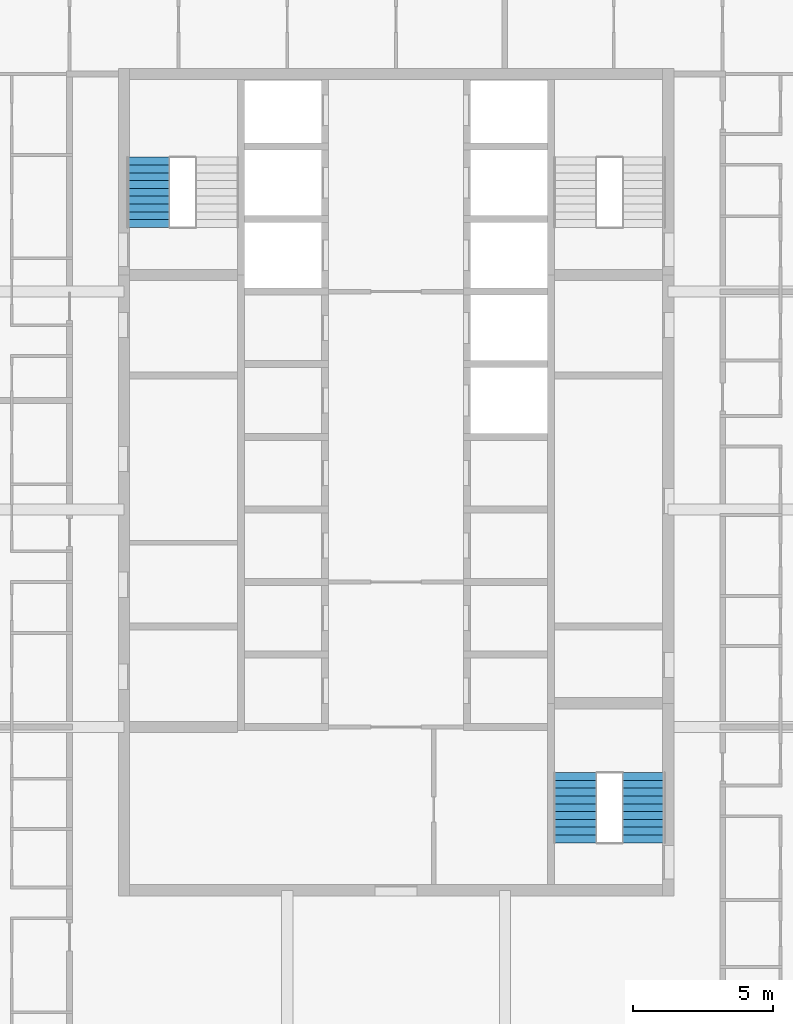
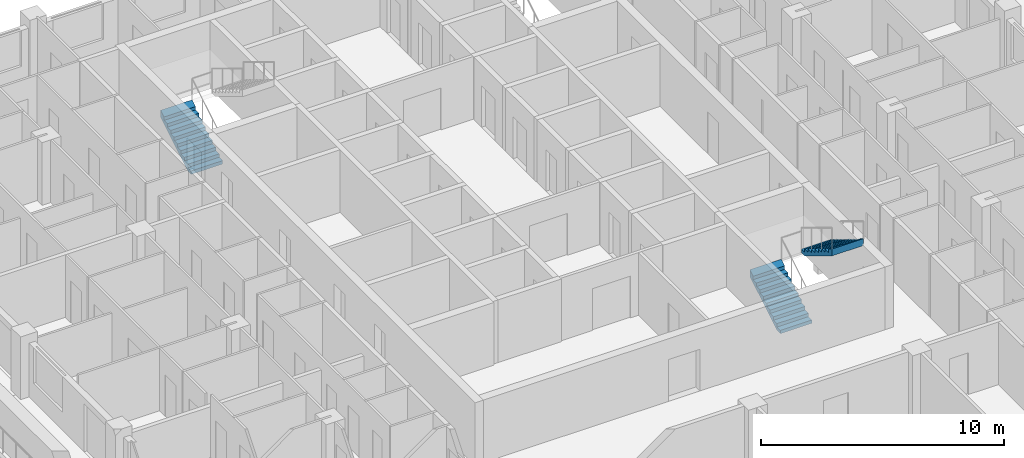
# One storey, part 13 of 17: 3 stair flights, 2 elements without a shape of their own.
"""IFC4 building model written with IfcOpenShell, lengths in metres."""

from ifc_helpers import new_model, si_unit, direction, frame, origin, place, context, subcontext, project, spatial, triangles, material, type_object, element, aggregate, save


model = new_model("IFC4")

# Units and contexts
model_context = context("Model", 3, precision=1e-05, world=origin(), true_north=direction((0.0, 1.0)))
body_context = subcontext(model_context, "Body", "Model", "MODEL_VIEW")
ifc_project = project(units=[si_unit("LENGTHUNIT", "METRE"), si_unit("AREAUNIT", "SQUARE_METRE"), si_unit("VOLUMEUNIT", "CUBIC_METRE"), si_unit("PLANEANGLEUNIT", "RADIAN"), si_unit("MASSUNIT", "GRAM", prefix="KILO")], contexts=[model_context])

# Site, building, storey
site_placement = place(None, origin())
site = spatial("IfcSite", under=ifc_project, at=site_placement, CompositionType="ELEMENT")
building_placement = place(site_placement, origin())
building = spatial("IfcBuilding", under=site, at=building_placement, Name="Ludao Terraces", CompositionType="ELEMENT")
storey_placement = place(building_placement, frame((0.0, 0.0, 231.300048828125)))
storey = spatial("IfcBuildingStorey", under=building, at=storey_placement, Name="L63", CompositionType="ELEMENT", Elevation=231.300048828125)

# Stair, stair flight
ifc_material = material(Name="Concrete C40", Category="concrete")
stair_type = type_object("IfcStairType", Name="INT Stair", PredefinedType="HALF_TURN_STAIR", material=ifc_material)
stair_1_placement = place(storey_placement, origin())
stair_1 = element("IfcStair", 1, at=stair_1_placement, inside=storey, type_object=stair_type, Name="EXIT STAIR 1", PredefinedType="HALF_TURN_STAIR")
stair_flight_type = type_object("IfcStairFlightType", Name="INT Stair flight", PredefinedType="STRAIGHT", material=ifc_material)
stair_flight_1_placement = place(storey_placement, frame((76.125, 79.0, 0.0), z_axis=(0.0, 0.0, 1.0), x_axis=(0.0, 1.0, 0.0)))
stair_flight_1 = element("IfcStairFlight", 2, at=stair_flight_1_placement, type_object=stair_flight_type, Name="ST1 flight 1", NumberOfRisers=10, NumberOfTreads=9, PredefinedType="STRAIGHT", RiserHeight=0.17, TreadLength=0.28, context=body_context, shape_type="Tessellation", body=[
    triangles([(0.0, -0.75, 0.0), (0.0, -0.5, 0.0), (0.0, -0.25, 0.0), (0.0, 0.0, 0.0), (0.0, 0.25, 0.0), (0.0, 0.5, 0.0), (0.0, 0.75, 0.0), (0.0, -0.75, 0.169921875), (0.0, -0.5, 0.169921875), (0.0, -0.25, 0.169921875), (0.0, 0.0, 0.169921875), (0.0, 0.25, 0.169921875), (0.0, 0.5, 0.169921875), (0.0, 0.75, 0.169921875), (0.280029296875, -0.75, 0.169921875), (0.280029296875, -0.5, 0.169921875), (0.280029296875, -0.25, 0.169921875), (0.280029296875, 0.0, 0.169921875), (0.280029296875, 0.25, 0.169921875), (0.280029296875, 0.5, 0.169921875), (0.280029296875, 0.75, 0.169921875), (0.280029296875, -0.75, 0.340087890625), (0.280029296875, -0.5, 0.340087890625), (0.280029296875, -0.25, 0.340087890625), (0.280029296875, 0.0, 0.340087890625), (0.280029296875, 0.25, 0.340087890625), (0.280029296875, 0.5, 0.340087890625), (0.280029296875, 0.75, 0.340087890625), (0.56005859375, -0.75, 0.340087890625), (0.56005859375, -0.5, 0.340087890625), (0.56005859375, -0.25, 0.340087890625), (0.56005859375, 0.0, 0.340087890625), (0.56005859375, 0.25, 0.340087890625), (0.56005859375, 0.5, 0.340087890625), (0.56005859375, 0.75, 0.340087890625), (0.56005859375, -0.75, 0.510009765625), (0.56005859375, -0.5, 0.510009765625), (0.56005859375, -0.25, 0.510009765625), (0.56005859375, 0.0, 0.510009765625), (0.56005859375, 0.25, 0.510009765625), (0.56005859375, 0.5, 0.510009765625), (0.56005859375, 0.75, 0.510009765625), (0.840087890625, -0.75, 0.510009765625), (0.840087890625, -0.5, 0.510009765625), (0.840087890625, -0.25, 0.510009765625), (0.840087890625, 0.0, 0.510009765625), (0.840087890625, 0.25, 0.510009765625), (0.840087890625, 0.5, 0.510009765625), (0.840087890625, 0.75, 0.510009765625), (0.840087890625, -0.75, 0.679931640625), (0.840087890625, -0.5, 0.679931640625), (0.840087890625, -0.25, 0.679931640625), (0.840087890625, 0.0, 0.679931640625), (0.840087890625, 0.25, 0.679931640625), (0.840087890625, 0.5, 0.679931640625), (0.840087890625, 0.75, 0.679931640625), (1.1201171875, -0.75, 0.679931640625), (1.1201171875, -0.5, 0.679931640625), (1.1201171875, -0.25, 0.679931640625), (1.1201171875, 0.0, 0.679931640625), (1.1201171875, 0.25, 0.679931640625), (1.1201171875, 0.5, 0.679931640625), (1.1201171875, 0.75, 0.679931640625), (1.1201171875, -0.75, 0.85009765625), (1.1201171875, -0.5, 0.85009765625), (1.1201171875, -0.25, 0.85009765625), (1.1201171875, 0.0, 0.85009765625), (1.1201171875, 0.25, 0.85009765625), (1.1201171875, 0.5, 0.85009765625), (1.1201171875, 0.75, 0.85009765625), (1.39990234375, -0.75, 0.85009765625), (1.39990234375, -0.5, 0.85009765625), (1.39990234375, -0.25, 0.85009765625), (1.39990234375, 0.0, 0.85009765625), (1.39990234375, 0.25, 0.85009765625), (1.39990234375, 0.5, 0.85009765625), (1.39990234375, 0.75, 0.85009765625), (1.39990234375, -0.75, 1.02001953125), (1.39990234375, -0.5, 1.02001953125), (1.39990234375, -0.25, 1.02001953125), (1.39990234375, 0.0, 1.02001953125), (1.39990234375, 0.25, 1.02001953125), (1.39990234375, 0.5, 1.02001953125), (1.39990234375, 0.75, 1.02001953125), (1.679931640625, -0.75, 1.02001953125), (1.679931640625, -0.5, 1.02001953125), (1.679931640625, -0.25, 1.02001953125), (1.679931640625, 0.0, 1.02001953125), (1.679931640625, 0.25, 1.02001953125), (1.679931640625, 0.5, 1.02001953125), (1.679931640625, 0.75, 1.02001953125), (1.679931640625, -0.75, 1.18994140625), (1.679931640625, -0.5, 1.18994140625), (1.679931640625, -0.25, 1.18994140625), (1.679931640625, 0.0, 1.18994140625), (1.679931640625, 0.25, 1.18994140625), (1.679931640625, 0.5, 1.18994140625), (1.679931640625, 0.75, 1.18994140625), (1.9599609375, -0.75, 1.18994140625), (1.9599609375, -0.5, 1.18994140625), (1.9599609375, -0.25, 1.18994140625), (1.9599609375, 0.0, 1.18994140625), (1.9599609375, 0.25, 1.18994140625), (1.9599609375, 0.5, 1.18994140625), (1.9599609375, 0.75, 1.18994140625), (1.9599609375, -0.75, 1.360107421875), (1.9599609375, -0.5, 1.360107421875), (1.9599609375, -0.25, 1.360107421875), (1.9599609375, 0.0, 1.360107421875), (1.9599609375, 0.25, 1.360107421875), (1.9599609375, 0.5, 1.360107421875), (1.9599609375, 0.75, 1.360107421875), (2.239990234375, -0.75, 1.360107421875), (2.239990234375, -0.5, 1.360107421875), (2.239990234375, -0.25, 1.360107421875), (2.239990234375, 0.0, 1.360107421875), (2.239990234375, 0.25, 1.360107421875), (2.239990234375, 0.5, 1.360107421875), (2.239990234375, 0.75, 1.360107421875), (2.239990234375, -0.75, 1.530029296875), (2.239990234375, -0.5, 1.530029296875), (2.239990234375, -0.25, 1.530029296875), (2.239990234375, 0.0, 1.530029296875), (2.239990234375, 0.25, 1.530029296875), (2.239990234375, 0.5, 1.530029296875), (2.239990234375, 0.75, 1.530029296875), (2.52001953125, -0.75, 1.699951171875), (2.52001953125, -0.5, 1.699951171875), (2.52001953125, -0.25, 1.699951171875), (2.52001953125, 0.0, 1.699951171875), (2.52001953125, 0.25, 1.699951171875), (2.52001953125, 0.5, 1.699951171875), (2.52001953125, 0.75, 1.699951171875), (2.52001953125, -0.75, 1.354736328125), (2.52001953125, -0.5, 1.354736328125), (2.52001953125, -0.25, 1.354736328125), (2.52001953125, 0.0, 1.354736328125), (2.52001953125, 0.25, 1.354736328125), (2.52001953125, 0.5, 1.354736328125), (2.52001953125, 0.75, 1.354736328125), (0.288818359375, -0.75, 0.0), (0.288818359375, -0.5, 0.0), (0.288818359375, -0.25, 0.0), (0.288818359375, 0.0, 0.0), (0.288818359375, 0.25, 0.0), (0.288818359375, 0.5, 0.0), (0.288818359375, 0.75, 0.0)], [[1, 141, 134], [7, 140, 147], [134, 127, 120], [140, 126, 133], [134, 120, 113], [140, 119, 126], [134, 113, 106], [140, 112, 119], [134, 106, 99], [140, 105, 112], [99, 92, 85], [105, 91, 98], [134, 99, 85], [140, 91, 105], [85, 78, 71], [91, 77, 84], [134, 85, 71], [140, 77, 91], [71, 64, 57], [77, 63, 70], [134, 71, 57], [140, 63, 77], [57, 50, 43], [63, 49, 56], [134, 57, 43], [140, 49, 63], [43, 36, 29], [49, 35, 42], [134, 43, 29], [140, 35, 49], [29, 22, 15], [35, 21, 28], [134, 29, 15], [140, 21, 35], [1, 134, 15], [7, 21, 140], [15, 8, 1], [21, 7, 14], [1, 9, 2], [1, 8, 9], [2, 10, 3], [2, 9, 10], [3, 11, 4], [3, 10, 11], [4, 12, 5], [4, 11, 12], [5, 13, 6], [5, 12, 13], [6, 14, 7], [6, 13, 14], [8, 16, 9], [8, 15, 16], [9, 17, 10], [9, 16, 17], [10, 18, 11], [10, 17, 18], [11, 19, 12], [11, 18, 19], [12, 20, 13], [12, 19, 20], [13, 21, 14], [13, 20, 21], [15, 23, 16], [15, 22, 23], [16, 24, 17], [16, 23, 24], [17, 25, 18], [17, 24, 25], [18, 26, 19], [18, 25, 26], [19, 27, 20], [19, 26, 27], [20, 28, 21], [20, 27, 28], [22, 30, 23], [22, 29, 30], [23, 31, 24], [23, 30, 31], [24, 32, 25], [24, 31, 32], [25, 33, 26], [25, 32, 33], [26, 34, 27], [26, 33, 34], [27, 35, 28], [27, 34, 35], [29, 37, 30], [29, 36, 37], [30, 38, 31], [30, 37, 38], [31, 39, 32], [31, 38, 39], [32, 40, 33], [32, 39, 40], [33, 41, 34], [33, 40, 41], [34, 42, 35], [34, 41, 42], [36, 44, 37], [36, 43, 44], [37, 45, 38], [37, 44, 45], [38, 46, 39], [38, 45, 46], [39, 47, 40], [39, 46, 47], [40, 48, 41], [40, 47, 48], [41, 49, 42], [41, 48, 49], [43, 51, 44], [43, 50, 51], [44, 52, 45], [44, 51, 52], [45, 53, 46], [45, 52, 53], [46, 54, 47], [46, 53, 54], [47, 55, 48], [47, 54, 55], [48, 56, 49], [48, 55, 56], [50, 58, 51], [50, 57, 58], [51, 59, 52], [51, 58, 59], [52, 60, 53], [52, 59, 60], [53, 61, 54], [53, 60, 61], [54, 62, 55], [54, 61, 62], [55, 63, 56], [55, 62, 63], [57, 65, 58], [57, 64, 65], [58, 66, 59], [58, 65, 66], [59, 67, 60], [59, 66, 67], [60, 68, 61], [60, 67, 68], [61, 69, 62], [61, 68, 69], [62, 70, 63], [62, 69, 70], [64, 72, 65], [64, 71, 72], [65, 73, 66], [65, 72, 73], [66, 74, 67], [66, 73, 74], [67, 75, 68], [67, 74, 75], [68, 76, 69], [68, 75, 76], [69, 77, 70], [69, 76, 77], [71, 79, 72], [71, 78, 79], [72, 80, 73], [72, 79, 80], [73, 81, 74], [73, 80, 81], [74, 82, 75], [74, 81, 82], [75, 83, 76], [75, 82, 83], [76, 84, 77], [76, 83, 84], [78, 86, 79], [78, 85, 86], [79, 87, 80], [79, 86, 87], [80, 88, 81], [80, 87, 88], [81, 89, 82], [81, 88, 89], [82, 90, 83], [82, 89, 90], [83, 91, 84], [83, 90, 91], [85, 93, 86], [85, 92, 93], [86, 94, 87], [86, 93, 94], [87, 95, 88], [87, 94, 95], [88, 96, 89], [88, 95, 96], [89, 97, 90], [89, 96, 97], [90, 98, 91], [90, 97, 98], [92, 100, 93], [92, 99, 100], [93, 101, 94], [93, 100, 101], [94, 102, 95], [94, 101, 102], [95, 103, 96], [95, 102, 103], [96, 104, 97], [96, 103, 104], [97, 105, 98], [97, 104, 105], [99, 107, 100], [99, 106, 107], [100, 108, 101], [100, 107, 108], [101, 109, 102], [101, 108, 109], [102, 110, 103], [102, 109, 110], [103, 111, 104], [103, 110, 111], [104, 112, 105], [104, 111, 112], [106, 114, 107], [106, 113, 114], [107, 115, 108], [107, 114, 115], [108, 116, 109], [108, 115, 116], [109, 117, 110], [109, 116, 117], [110, 118, 111], [110, 117, 118], [111, 119, 112], [111, 118, 119], [113, 121, 114], [113, 120, 121], [114, 122, 115], [114, 121, 122], [115, 123, 116], [115, 122, 123], [116, 124, 117], [116, 123, 124], [117, 125, 118], [117, 124, 125], [118, 126, 119], [118, 125, 126], [120, 128, 121], [120, 127, 128], [121, 129, 122], [121, 128, 129], [122, 130, 123], [122, 129, 130], [123, 131, 124], [123, 130, 131], [124, 132, 125], [124, 131, 132], [125, 133, 126], [125, 132, 133], [127, 135, 128], [127, 134, 135], [128, 136, 129], [128, 135, 136], [129, 137, 130], [129, 136, 137], [130, 138, 131], [130, 137, 138], [131, 139, 132], [131, 138, 139], [132, 140, 133], [132, 139, 140], [134, 142, 135], [134, 141, 142], [135, 143, 136], [135, 142, 143], [136, 144, 137], [136, 143, 144], [137, 145, 138], [137, 144, 145], [138, 146, 139], [138, 145, 146], [139, 147, 140], [139, 146, 147], [141, 2, 142], [141, 1, 2], [142, 3, 143], [142, 2, 3], [143, 4, 144], [143, 3, 4], [144, 5, 145], [144, 4, 5], [145, 6, 146], [145, 5, 6], [146, 7, 147], [146, 6, 7]], closed=True),
])
aggregate(stair_1, [stair_flight_1])

# Stair, stair flights
stair_2_placement = place(storey_placement, origin())
stair_2 = element("IfcStair", 3, at=stair_2_placement, inside=storey, type_object=stair_type, Name="EXIT STAIR 3", PredefinedType="HALF_TURN_STAIR")
stair_flight_2_placement = place(storey_placement, frame((91.425048828125, 56.949951171875, 0.0), z_axis=(0.0, 0.0, 1.0), x_axis=(0.0, 1.0, 0.0)))
stair_flight_2 = element("IfcStairFlight", 4, at=stair_flight_2_placement, type_object=stair_flight_type, Name="ST3 flight 1", NumberOfRisers=10, NumberOfTreads=9, PredefinedType="STRAIGHT", RiserHeight=0.17, TreadLength=0.28, context=body_context, shape_type="Tessellation", body=[
    triangles([(0.0, -0.75, 0.0), (0.0, -0.5, 0.0), (0.0, -0.25, 0.0), (0.0, 0.0, 0.0), (0.0, 0.25, 0.0), (0.0, 0.5, 0.0), (0.0, 0.75, 0.0), (0.0, -0.75, 0.169921875), (0.0, -0.5, 0.169921875), (0.0, -0.25, 0.169921875), (0.0, 0.0, 0.169921875), (0.0, 0.25, 0.169921875), (0.0, 0.5, 0.169921875), (0.0, 0.75, 0.169921875), (0.280029296875, -0.75, 0.169921875), (0.280029296875, -0.5, 0.169921875), (0.280029296875, -0.25, 0.169921875), (0.280029296875, 0.0, 0.169921875), (0.280029296875, 0.25, 0.169921875), (0.280029296875, 0.5, 0.169921875), (0.280029296875, 0.75, 0.169921875), (0.280029296875, -0.75, 0.340087890625), (0.280029296875, -0.5, 0.340087890625), (0.280029296875, -0.25, 0.340087890625), (0.280029296875, 0.0, 0.340087890625), (0.280029296875, 0.25, 0.340087890625), (0.280029296875, 0.5, 0.340087890625), (0.280029296875, 0.75, 0.340087890625), (0.56005859375, -0.75, 0.340087890625), (0.56005859375, -0.5, 0.340087890625), (0.56005859375, -0.25, 0.340087890625), (0.56005859375, 0.0, 0.340087890625), (0.56005859375, 0.25, 0.340087890625), (0.56005859375, 0.5, 0.340087890625), (0.56005859375, 0.75, 0.340087890625), (0.56005859375, -0.75, 0.510009765625), (0.56005859375, -0.5, 0.510009765625), (0.56005859375, -0.25, 0.510009765625), (0.56005859375, 0.0, 0.510009765625), (0.56005859375, 0.25, 0.510009765625), (0.56005859375, 0.5, 0.510009765625), (0.56005859375, 0.75, 0.510009765625), (0.840087890625, -0.75, 0.510009765625), (0.840087890625, -0.5, 0.510009765625), (0.840087890625, -0.25, 0.510009765625), (0.840087890625, 0.0, 0.510009765625), (0.840087890625, 0.25, 0.510009765625), (0.840087890625, 0.5, 0.510009765625), (0.840087890625, 0.75, 0.510009765625), (0.840087890625, -0.75, 0.679931640625), (0.840087890625, -0.5, 0.679931640625), (0.840087890625, -0.25, 0.679931640625), (0.840087890625, 0.0, 0.679931640625), (0.840087890625, 0.25, 0.679931640625), (0.840087890625, 0.5, 0.679931640625), (0.840087890625, 0.75, 0.679931640625), (1.1201171875, -0.75, 0.679931640625), (1.1201171875, -0.5, 0.679931640625), (1.1201171875, -0.25, 0.679931640625), (1.1201171875, 0.0, 0.679931640625), (1.1201171875, 0.25, 0.679931640625), (1.1201171875, 0.5, 0.679931640625), (1.1201171875, 0.75, 0.679931640625), (1.1201171875, -0.75, 0.85009765625), (1.1201171875, -0.5, 0.85009765625), (1.1201171875, -0.25, 0.85009765625), (1.1201171875, 0.0, 0.85009765625), (1.1201171875, 0.25, 0.85009765625), (1.1201171875, 0.5, 0.85009765625), (1.1201171875, 0.75, 0.85009765625), (1.39990234375, -0.75, 0.85009765625), (1.39990234375, -0.5, 0.85009765625), (1.39990234375, -0.25, 0.85009765625), (1.39990234375, 0.0, 0.85009765625), (1.39990234375, 0.25, 0.85009765625), (1.39990234375, 0.5, 0.85009765625), (1.39990234375, 0.75, 0.85009765625), (1.39990234375, -0.75, 1.02001953125), (1.39990234375, -0.5, 1.02001953125), (1.39990234375, -0.25, 1.02001953125), (1.39990234375, 0.0, 1.02001953125), (1.39990234375, 0.25, 1.02001953125), (1.39990234375, 0.5, 1.02001953125), (1.39990234375, 0.75, 1.02001953125), (1.679931640625, -0.75, 1.02001953125), (1.679931640625, -0.5, 1.02001953125), (1.679931640625, -0.25, 1.02001953125), (1.679931640625, 0.0, 1.02001953125), (1.679931640625, 0.25, 1.02001953125), (1.679931640625, 0.5, 1.02001953125), (1.679931640625, 0.75, 1.02001953125), (1.679931640625, -0.75, 1.18994140625), (1.679931640625, -0.5, 1.18994140625), (1.679931640625, -0.25, 1.18994140625), (1.679931640625, 0.0, 1.18994140625), (1.679931640625, 0.25, 1.18994140625), (1.679931640625, 0.5, 1.18994140625), (1.679931640625, 0.75, 1.18994140625), (1.9599609375, -0.75, 1.18994140625), (1.9599609375, -0.5, 1.18994140625), (1.9599609375, -0.25, 1.18994140625), (1.9599609375, 0.0, 1.18994140625), (1.9599609375, 0.25, 1.18994140625), (1.9599609375, 0.5, 1.18994140625), (1.9599609375, 0.75, 1.18994140625), (1.9599609375, -0.75, 1.360107421875), (1.9599609375, -0.5, 1.360107421875), (1.9599609375, -0.25, 1.360107421875), (1.9599609375, 0.0, 1.360107421875), (1.9599609375, 0.25, 1.360107421875), (1.9599609375, 0.5, 1.360107421875), (1.9599609375, 0.75, 1.360107421875), (2.239990234375, -0.75, 1.360107421875), (2.239990234375, -0.5, 1.360107421875), (2.239990234375, -0.25, 1.360107421875), (2.239990234375, 0.0, 1.360107421875), (2.239990234375, 0.25, 1.360107421875), (2.239990234375, 0.5, 1.360107421875), (2.239990234375, 0.75, 1.360107421875), (2.239990234375, -0.75, 1.530029296875), (2.239990234375, -0.5, 1.530029296875), (2.239990234375, -0.25, 1.530029296875), (2.239990234375, 0.0, 1.530029296875), (2.239990234375, 0.25, 1.530029296875), (2.239990234375, 0.5, 1.530029296875), (2.239990234375, 0.75, 1.530029296875), (2.52001953125, -0.75, 1.699951171875), (2.52001953125, -0.5, 1.699951171875), (2.52001953125, -0.25, 1.699951171875), (2.52001953125, 0.0, 1.699951171875), (2.52001953125, 0.25, 1.699951171875), (2.52001953125, 0.5, 1.699951171875), (2.52001953125, 0.75, 1.699951171875), (2.52001953125, -0.75, 1.354736328125), (2.52001953125, -0.5, 1.354736328125), (2.52001953125, -0.25, 1.354736328125), (2.52001953125, 0.0, 1.354736328125), (2.52001953125, 0.25, 1.354736328125), (2.52001953125, 0.5, 1.354736328125), (2.52001953125, 0.75, 1.354736328125), (0.288818359375, -0.75, 0.0), (0.288818359375, -0.5, 0.0), (0.288818359375, -0.25, 0.0), (0.288818359375, 0.0, 0.0), (0.288818359375, 0.25, 0.0), (0.288818359375, 0.5, 0.0), (0.288818359375, 0.75, 0.0)], [[1, 141, 134], [7, 140, 147], [134, 127, 120], [140, 126, 133], [134, 120, 113], [140, 119, 126], [134, 113, 106], [140, 112, 119], [134, 106, 99], [140, 105, 112], [99, 92, 85], [105, 91, 98], [134, 99, 85], [140, 91, 105], [85, 78, 71], [91, 77, 84], [134, 85, 71], [140, 77, 91], [71, 64, 57], [77, 63, 70], [134, 71, 57], [140, 63, 77], [57, 50, 43], [63, 49, 56], [134, 57, 43], [140, 49, 63], [43, 36, 29], [49, 35, 42], [134, 43, 29], [140, 35, 49], [29, 22, 15], [35, 21, 28], [134, 29, 15], [140, 21, 35], [1, 134, 15], [7, 21, 140], [15, 8, 1], [21, 7, 14], [1, 9, 2], [1, 8, 9], [2, 10, 3], [2, 9, 10], [3, 11, 4], [3, 10, 11], [4, 12, 5], [4, 11, 12], [5, 13, 6], [5, 12, 13], [6, 14, 7], [6, 13, 14], [8, 16, 9], [8, 15, 16], [9, 17, 10], [9, 16, 17], [10, 18, 11], [10, 17, 18], [11, 19, 12], [11, 18, 19], [12, 20, 13], [12, 19, 20], [13, 21, 14], [13, 20, 21], [15, 23, 16], [15, 22, 23], [16, 24, 17], [16, 23, 24], [17, 25, 18], [17, 24, 25], [18, 26, 19], [18, 25, 26], [19, 27, 20], [19, 26, 27], [20, 28, 21], [20, 27, 28], [22, 30, 23], [22, 29, 30], [23, 31, 24], [23, 30, 31], [24, 32, 25], [24, 31, 32], [25, 33, 26], [25, 32, 33], [26, 34, 27], [26, 33, 34], [27, 35, 28], [27, 34, 35], [29, 37, 30], [29, 36, 37], [30, 38, 31], [30, 37, 38], [31, 39, 32], [31, 38, 39], [32, 40, 33], [32, 39, 40], [33, 41, 34], [33, 40, 41], [34, 42, 35], [34, 41, 42], [36, 44, 37], [36, 43, 44], [37, 45, 38], [37, 44, 45], [38, 46, 39], [38, 45, 46], [39, 47, 40], [39, 46, 47], [40, 48, 41], [40, 47, 48], [41, 49, 42], [41, 48, 49], [43, 51, 44], [43, 50, 51], [44, 52, 45], [44, 51, 52], [45, 53, 46], [45, 52, 53], [46, 54, 47], [46, 53, 54], [47, 55, 48], [47, 54, 55], [48, 56, 49], [48, 55, 56], [50, 58, 51], [50, 57, 58], [51, 59, 52], [51, 58, 59], [52, 60, 53], [52, 59, 60], [53, 61, 54], [53, 60, 61], [54, 62, 55], [54, 61, 62], [55, 63, 56], [55, 62, 63], [57, 65, 58], [57, 64, 65], [58, 66, 59], [58, 65, 66], [59, 67, 60], [59, 66, 67], [60, 68, 61], [60, 67, 68], [61, 69, 62], [61, 68, 69], [62, 70, 63], [62, 69, 70], [64, 72, 65], [64, 71, 72], [65, 73, 66], [65, 72, 73], [66, 74, 67], [66, 73, 74], [67, 75, 68], [67, 74, 75], [68, 76, 69], [68, 75, 76], [69, 77, 70], [69, 76, 77], [71, 79, 72], [71, 78, 79], [72, 80, 73], [72, 79, 80], [73, 81, 74], [73, 80, 81], [74, 82, 75], [74, 81, 82], [75, 83, 76], [75, 82, 83], [76, 84, 77], [76, 83, 84], [78, 86, 79], [78, 85, 86], [79, 87, 80], [79, 86, 87], [80, 88, 81], [80, 87, 88], [81, 89, 82], [81, 88, 89], [82, 90, 83], [82, 89, 90], [83, 91, 84], [83, 90, 91], [85, 93, 86], [85, 92, 93], [86, 94, 87], [86, 93, 94], [87, 95, 88], [87, 94, 95], [88, 96, 89], [88, 95, 96], [89, 97, 90], [89, 96, 97], [90, 98, 91], [90, 97, 98], [92, 100, 93], [92, 99, 100], [93, 101, 94], [93, 100, 101], [94, 102, 95], [94, 101, 102], [95, 103, 96], [95, 102, 103], [96, 104, 97], [96, 103, 104], [97, 105, 98], [97, 104, 105], [99, 107, 100], [99, 106, 107], [100, 108, 101], [100, 107, 108], [101, 109, 102], [101, 108, 109], [102, 110, 103], [102, 109, 110], [103, 111, 104], [103, 110, 111], [104, 112, 105], [104, 111, 112], [106, 114, 107], [106, 113, 114], [107, 115, 108], [107, 114, 115], [108, 116, 109], [108, 115, 116], [109, 117, 110], [109, 116, 117], [110, 118, 111], [110, 117, 118], [111, 119, 112], [111, 118, 119], [113, 121, 114], [113, 120, 121], [114, 122, 115], [114, 121, 122], [115, 123, 116], [115, 122, 123], [116, 124, 117], [116, 123, 124], [117, 125, 118], [117, 124, 125], [118, 126, 119], [118, 125, 126], [120, 128, 121], [120, 127, 128], [121, 129, 122], [121, 128, 129], [122, 130, 123], [122, 129, 130], [123, 131, 124], [123, 130, 131], [124, 132, 125], [124, 131, 132], [125, 133, 126], [125, 132, 133], [127, 135, 128], [127, 134, 135], [128, 136, 129], [128, 135, 136], [129, 137, 130], [129, 136, 137], [130, 138, 131], [130, 137, 138], [131, 139, 132], [131, 138, 139], [132, 140, 133], [132, 139, 140], [134, 142, 135], [134, 141, 142], [135, 143, 136], [135, 142, 143], [136, 144, 137], [136, 143, 144], [137, 145, 138], [137, 144, 145], [138, 146, 139], [138, 145, 146], [139, 147, 140], [139, 146, 147], [141, 2, 142], [141, 1, 2], [142, 3, 143], [142, 2, 3], [143, 4, 144], [143, 3, 4], [144, 5, 145], [144, 4, 5], [145, 6, 146], [145, 5, 6], [146, 7, 147], [146, 6, 7]], closed=True),
])
stair_flight_3_placement = place(storey_placement, frame((93.875, 59.469970703125, 1.699951171875), z_axis=(0.0, 0.0, 1.0), x_axis=(0.0, -1.0, 0.0)))
stair_flight_3 = element("IfcStairFlight", 5, at=stair_flight_3_placement, type_object=stair_flight_type, Name="ST3 flight 2", NumberOfRisers=10, NumberOfTreads=9, PredefinedType="STRAIGHT", RiserHeight=0.17, TreadLength=0.28, context=body_context, shape_type="Tessellation", body=[
    triangles([(0.0, -0.75, 0.0), (0.0, -0.5, 0.0), (0.0, -0.25, 0.0), (0.0, 0.0, 0.0), (0.0, 0.25, 0.0), (0.0, 0.5, 0.0), (0.0, 0.75, 0.0), (0.0, -0.75, 0.169921875), (0.0, -0.5, 0.169921875), (0.0, -0.25, 0.169921875), (0.0, 0.0, 0.169921875), (0.0, 0.25, 0.169921875), (0.0, 0.5, 0.169921875), (0.0, 0.75, 0.169921875), (0.280029296875, -0.75, 0.169921875), (0.280029296875, -0.5, 0.169921875), (0.280029296875, -0.25, 0.169921875), (0.280029296875, 0.0, 0.169921875), (0.280029296875, 0.25, 0.169921875), (0.280029296875, 0.5, 0.169921875), (0.280029296875, 0.75, 0.169921875), (0.280029296875, -0.75, 0.340087890625), (0.280029296875, -0.5, 0.340087890625), (0.280029296875, -0.25, 0.340087890625), (0.280029296875, 0.0, 0.340087890625), (0.280029296875, 0.25, 0.340087890625), (0.280029296875, 0.5, 0.340087890625), (0.280029296875, 0.75, 0.340087890625), (0.56005859375, -0.75, 0.340087890625), (0.56005859375, -0.5, 0.340087890625), (0.56005859375, -0.25, 0.340087890625), (0.56005859375, 0.0, 0.340087890625), (0.56005859375, 0.25, 0.340087890625), (0.56005859375, 0.5, 0.340087890625), (0.56005859375, 0.75, 0.340087890625), (0.56005859375, -0.75, 0.510009765625), (0.56005859375, -0.5, 0.510009765625), (0.56005859375, -0.25, 0.510009765625), (0.56005859375, 0.0, 0.510009765625), (0.56005859375, 0.25, 0.510009765625), (0.56005859375, 0.5, 0.510009765625), (0.56005859375, 0.75, 0.510009765625), (0.840087890625, -0.75, 0.510009765625), (0.840087890625, -0.5, 0.510009765625), (0.840087890625, -0.25, 0.510009765625), (0.840087890625, 0.0, 0.510009765625), (0.840087890625, 0.25, 0.510009765625), (0.840087890625, 0.5, 0.510009765625), (0.840087890625, 0.75, 0.510009765625), (0.840087890625, -0.75, 0.679931640625), (0.840087890625, -0.5, 0.679931640625), (0.840087890625, -0.25, 0.679931640625), (0.840087890625, 0.0, 0.679931640625), (0.840087890625, 0.25, 0.679931640625), (0.840087890625, 0.5, 0.679931640625), (0.840087890625, 0.75, 0.679931640625), (1.1201171875, -0.75, 0.679931640625), (1.1201171875, -0.5, 0.679931640625), (1.1201171875, -0.25, 0.679931640625), (1.1201171875, 0.0, 0.679931640625), (1.1201171875, 0.25, 0.679931640625), (1.1201171875, 0.5, 0.679931640625), (1.1201171875, 0.75, 0.679931640625), (1.1201171875, -0.75, 0.85009765625), (1.1201171875, -0.5, 0.85009765625), (1.1201171875, -0.25, 0.85009765625), (1.1201171875, 0.0, 0.85009765625), (1.1201171875, 0.25, 0.85009765625), (1.1201171875, 0.5, 0.85009765625), (1.1201171875, 0.75, 0.85009765625), (1.39990234375, -0.75, 0.85009765625), (1.39990234375, -0.5, 0.85009765625), (1.39990234375, -0.25, 0.85009765625), (1.39990234375, 0.0, 0.85009765625), (1.39990234375, 0.25, 0.85009765625), (1.39990234375, 0.5, 0.85009765625), (1.39990234375, 0.75, 0.85009765625), (1.39990234375, -0.75, 1.02001953125), (1.39990234375, -0.5, 1.02001953125), (1.39990234375, -0.25, 1.02001953125), (1.39990234375, 0.0, 1.02001953125), (1.39990234375, 0.25, 1.02001953125), (1.39990234375, 0.5, 1.02001953125), (1.39990234375, 0.75, 1.02001953125), (1.679931640625, -0.75, 1.02001953125), (1.679931640625, -0.5, 1.02001953125), (1.679931640625, -0.25, 1.02001953125), (1.679931640625, 0.0, 1.02001953125), (1.679931640625, 0.25, 1.02001953125), (1.679931640625, 0.5, 1.02001953125), (1.679931640625, 0.75, 1.02001953125), (1.679931640625, -0.75, 1.18994140625), (1.679931640625, -0.5, 1.18994140625), (1.679931640625, -0.25, 1.18994140625), (1.679931640625, 0.0, 1.18994140625), (1.679931640625, 0.25, 1.18994140625), (1.679931640625, 0.5, 1.18994140625), (1.679931640625, 0.75, 1.18994140625), (1.9599609375, -0.75, 1.18994140625), (1.9599609375, -0.5, 1.18994140625), (1.9599609375, -0.25, 1.18994140625), (1.9599609375, 0.0, 1.18994140625), (1.9599609375, 0.25, 1.18994140625), (1.9599609375, 0.5, 1.18994140625), (1.9599609375, 0.75, 1.18994140625), (1.9599609375, -0.75, 1.360107421875), (1.9599609375, -0.5, 1.360107421875), (1.9599609375, -0.25, 1.360107421875), (1.9599609375, 0.0, 1.360107421875), (1.9599609375, 0.25, 1.360107421875), (1.9599609375, 0.5, 1.360107421875), (1.9599609375, 0.75, 1.360107421875), (2.239990234375, -0.75, 1.360107421875), (2.239990234375, -0.5, 1.360107421875), (2.239990234375, -0.25, 1.360107421875), (2.239990234375, 0.0, 1.360107421875), (2.239990234375, 0.25, 1.360107421875), (2.239990234375, 0.5, 1.360107421875), (2.239990234375, 0.75, 1.360107421875), (2.239990234375, -0.75, 1.530029296875), (2.239990234375, -0.5, 1.530029296875), (2.239990234375, -0.25, 1.530029296875), (2.239990234375, 0.0, 1.530029296875), (2.239990234375, 0.25, 1.530029296875), (2.239990234375, 0.5, 1.530029296875), (2.239990234375, 0.75, 1.530029296875), (2.52001953125, -0.75, 1.699951171875), (2.52001953125, -0.5, 1.699951171875), (2.52001953125, -0.25, 1.699951171875), (2.52001953125, 0.0, 1.699951171875), (2.52001953125, 0.25, 1.699951171875), (2.52001953125, 0.5, 1.699951171875), (2.52001953125, 0.75, 1.699951171875), (2.52001953125, -0.75, 1.354736328125), (2.52001953125, -0.5, 1.354736328125), (2.52001953125, -0.25, 1.354736328125), (2.52001953125, 0.0, 1.354736328125), (2.52001953125, 0.25, 1.354736328125), (2.52001953125, 0.5, 1.354736328125), (2.52001953125, 0.75, 1.354736328125), (0.288818359375, -0.75, 0.0), (0.288818359375, -0.5, 0.0), (0.288818359375, -0.25, 0.0), (0.288818359375, 0.0, 0.0), (0.288818359375, 0.25, 0.0), (0.288818359375, 0.5, 0.0), (0.288818359375, 0.75, 0.0)], [[1, 141, 134], [7, 140, 147], [134, 127, 120], [140, 126, 133], [134, 120, 113], [140, 119, 126], [134, 113, 106], [140, 112, 119], [134, 106, 99], [140, 105, 112], [99, 92, 85], [105, 91, 98], [134, 99, 85], [140, 91, 105], [85, 78, 71], [91, 77, 84], [134, 85, 71], [140, 77, 91], [71, 64, 57], [77, 63, 70], [134, 71, 57], [140, 63, 77], [57, 50, 43], [63, 49, 56], [134, 57, 43], [140, 49, 63], [43, 36, 29], [49, 35, 42], [134, 43, 29], [140, 35, 49], [29, 22, 15], [35, 21, 28], [134, 29, 15], [140, 21, 35], [1, 134, 15], [7, 21, 140], [15, 8, 1], [21, 7, 14], [1, 9, 2], [1, 8, 9], [2, 10, 3], [2, 9, 10], [3, 11, 4], [3, 10, 11], [4, 12, 5], [4, 11, 12], [5, 13, 6], [5, 12, 13], [6, 14, 7], [6, 13, 14], [8, 16, 9], [8, 15, 16], [9, 17, 10], [9, 16, 17], [10, 18, 11], [10, 17, 18], [11, 19, 12], [11, 18, 19], [12, 20, 13], [12, 19, 20], [13, 21, 14], [13, 20, 21], [15, 23, 16], [15, 22, 23], [16, 24, 17], [16, 23, 24], [17, 25, 18], [17, 24, 25], [18, 26, 19], [18, 25, 26], [19, 27, 20], [19, 26, 27], [20, 28, 21], [20, 27, 28], [22, 30, 23], [22, 29, 30], [23, 31, 24], [23, 30, 31], [24, 32, 25], [24, 31, 32], [25, 33, 26], [25, 32, 33], [26, 34, 27], [26, 33, 34], [27, 35, 28], [27, 34, 35], [29, 37, 30], [29, 36, 37], [30, 38, 31], [30, 37, 38], [31, 39, 32], [31, 38, 39], [32, 40, 33], [32, 39, 40], [33, 41, 34], [33, 40, 41], [34, 42, 35], [34, 41, 42], [36, 44, 37], [36, 43, 44], [37, 45, 38], [37, 44, 45], [38, 46, 39], [38, 45, 46], [39, 47, 40], [39, 46, 47], [40, 48, 41], [40, 47, 48], [41, 49, 42], [41, 48, 49], [43, 51, 44], [43, 50, 51], [44, 52, 45], [44, 51, 52], [45, 53, 46], [45, 52, 53], [46, 54, 47], [46, 53, 54], [47, 55, 48], [47, 54, 55], [48, 56, 49], [48, 55, 56], [50, 58, 51], [50, 57, 58], [51, 59, 52], [51, 58, 59], [52, 60, 53], [52, 59, 60], [53, 61, 54], [53, 60, 61], [54, 62, 55], [54, 61, 62], [55, 63, 56], [55, 62, 63], [57, 65, 58], [57, 64, 65], [58, 66, 59], [58, 65, 66], [59, 67, 60], [59, 66, 67], [60, 68, 61], [60, 67, 68], [61, 69, 62], [61, 68, 69], [62, 70, 63], [62, 69, 70], [64, 72, 65], [64, 71, 72], [65, 73, 66], [65, 72, 73], [66, 74, 67], [66, 73, 74], [67, 75, 68], [67, 74, 75], [68, 76, 69], [68, 75, 76], [69, 77, 70], [69, 76, 77], [71, 79, 72], [71, 78, 79], [72, 80, 73], [72, 79, 80], [73, 81, 74], [73, 80, 81], [74, 82, 75], [74, 81, 82], [75, 83, 76], [75, 82, 83], [76, 84, 77], [76, 83, 84], [78, 86, 79], [78, 85, 86], [79, 87, 80], [79, 86, 87], [80, 88, 81], [80, 87, 88], [81, 89, 82], [81, 88, 89], [82, 90, 83], [82, 89, 90], [83, 91, 84], [83, 90, 91], [85, 93, 86], [85, 92, 93], [86, 94, 87], [86, 93, 94], [87, 95, 88], [87, 94, 95], [88, 96, 89], [88, 95, 96], [89, 97, 90], [89, 96, 97], [90, 98, 91], [90, 97, 98], [92, 100, 93], [92, 99, 100], [93, 101, 94], [93, 100, 101], [94, 102, 95], [94, 101, 102], [95, 103, 96], [95, 102, 103], [96, 104, 97], [96, 103, 104], [97, 105, 98], [97, 104, 105], [99, 107, 100], [99, 106, 107], [100, 108, 101], [100, 107, 108], [101, 109, 102], [101, 108, 109], [102, 110, 103], [102, 109, 110], [103, 111, 104], [103, 110, 111], [104, 112, 105], [104, 111, 112], [106, 114, 107], [106, 113, 114], [107, 115, 108], [107, 114, 115], [108, 116, 109], [108, 115, 116], [109, 117, 110], [109, 116, 117], [110, 118, 111], [110, 117, 118], [111, 119, 112], [111, 118, 119], [113, 121, 114], [113, 120, 121], [114, 122, 115], [114, 121, 122], [115, 123, 116], [115, 122, 123], [116, 124, 117], [116, 123, 124], [117, 125, 118], [117, 124, 125], [118, 126, 119], [118, 125, 126], [120, 128, 121], [120, 127, 128], [121, 129, 122], [121, 128, 129], [122, 130, 123], [122, 129, 130], [123, 131, 124], [123, 130, 131], [124, 132, 125], [124, 131, 132], [125, 133, 126], [125, 132, 133], [127, 135, 128], [127, 134, 135], [128, 136, 129], [128, 135, 136], [129, 137, 130], [129, 136, 137], [130, 138, 131], [130, 137, 138], [131, 139, 132], [131, 138, 139], [132, 140, 133], [132, 139, 140], [134, 142, 135], [134, 141, 142], [135, 143, 136], [135, 142, 143], [136, 144, 137], [136, 143, 144], [137, 145, 138], [137, 144, 145], [138, 146, 139], [138, 145, 146], [139, 147, 140], [139, 146, 147], [141, 2, 142], [141, 1, 2], [142, 3, 143], [142, 2, 3], [143, 4, 144], [143, 3, 4], [144, 5, 145], [144, 4, 5], [145, 6, 146], [145, 5, 6], [146, 7, 147], [146, 6, 7]], closed=True),
])
aggregate(stair_2, [stair_flight_2, stair_flight_3])

save(model, "model.ifc")
